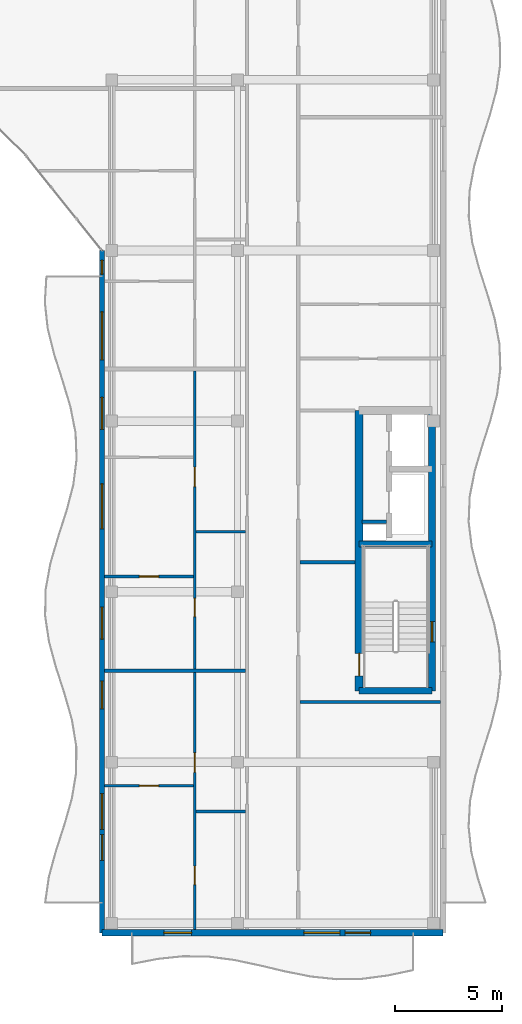
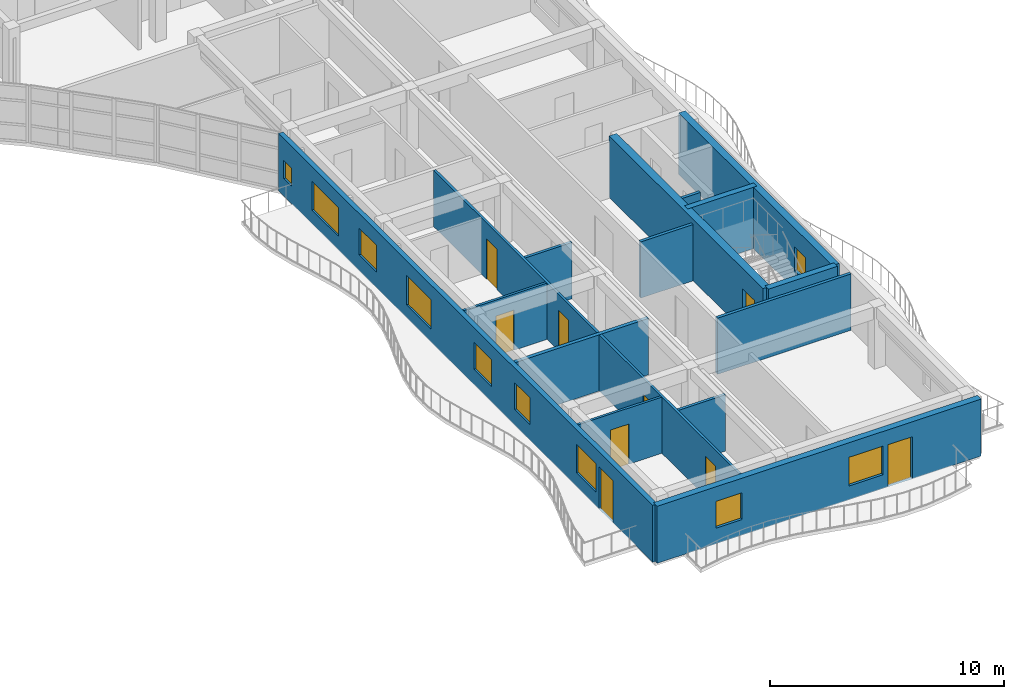
# One storey, part 34 of 54: 16 walls, 10 windows, 9 doors, 19 openings.
"""IFC4 building model written with IfcOpenShell, lengths in metres."""

from ifc_helpers import new_model, si_unit, direction, frame, frame_2d, origin, place, context, subcontext, project, spatial, rectangle, extrude, material, layer, layer_set, type_object, element, fill, save


model = new_model("IFC4")

# Units and contexts
model_context = context("Model", 3, precision=1e-05, world=origin(), true_north=direction((0.0, 1.0)))
body_context = subcontext(model_context, "Body", "Model", "MODEL_VIEW")
ifc_project = project(units=[si_unit("LENGTHUNIT", "METRE"), si_unit("AREAUNIT", "SQUARE_METRE"), si_unit("VOLUMEUNIT", "CUBIC_METRE"), si_unit("PLANEANGLEUNIT", "RADIAN"), si_unit("MASSUNIT", "GRAM", prefix="KILO")], contexts=[model_context])

# Site, building, storey
site_placement = place(None, origin())
site = spatial("IfcSite", under=ifc_project, at=site_placement, CompositionType="ELEMENT")
building_placement = place(site_placement, origin())
building = spatial("IfcBuilding", under=site, at=building_placement, Name="Keldmere Railside Commons", CompositionType="ELEMENT")
storey_placement = place(building_placement, frame((0.0, 0.0, 26.56005859375)))
storey = spatial("IfcBuildingStorey", under=building, at=storey_placement, Name="L08", CompositionType="ELEMENT", Elevation=26.56005859375)

# Wall
ifc_material_1 = material(Name="Acoustic Gypsum Board Partition", Category="gypsum")
ifc_layer_1 = layer(ifc_material_1, 0.179931640625, Name="Acoustic Demising Partition 180")
ifc_layer_set_1 = layer_set([ifc_layer_1], Name="Acoustic Gypsum Board Partition")
wall_type_1 = type_object("IfcWallType", Name="Acoustic Demising Partition 180", PredefinedType="PARTITIONING", material=ifc_layer_set_1)
wall_1_placement = place(storey_placement, frame((168.1201171875, 68.2900390625, 0.0), z_axis=(0.0, 0.0, 1.0), x_axis=(1.0, 0.0, 0.0)))
element("IfcWall", 1, at=wall_1_placement, inside=storey, type_object=wall_type_1, Name="IW-1 IW-L08-1730", PredefinedType="PARTITIONING", context=body_context, shape_type="SweptSolid", body=[
    extrude(rectangle(XDim=6.599853515625, YDim=0.179931640625, at=frame_2d((3.2998046875, 0.0))), origin(), (0.0, 0.0, 1.0), 2.93505859375),
])

# Wall, openings, doors
ifc_layer_2 = layer(ifc_material_1, 0.1201171875, Name="Apartment Interior Partition 120")
ifc_layer_set_2 = layer_set([ifc_layer_2], Name="Acoustic Gypsum Board Partition")
wall_type_2 = type_object("IfcWallType", Name="Apartment Interior Partition 120", PredefinedType="PARTITIONING", material=ifc_layer_set_2)
wall_2_placement = place(storey_placement, frame((172.340087890625, 56.159912109375, 0.0), z_axis=(0.0, 0.0, 1.0), x_axis=(0.0, 1.0, 0.0)))
wall_2 = element("IfcWall", 2, at=wall_2_placement, inside=storey, type_object=wall_type_2, Name="IW-4 IW-L08-1733", PredefinedType="PARTITIONING", context=body_context, shape_type="SweptSolid", body=[
    extrude(rectangle(XDim=12.0400390625, YDim=0.1201171875, at=frame_2d((6.02001953125, 0.0))), origin(), (0.0, 0.0, 1.0), 2.93505859375),
])
opening_1_placement = place(wall_2_placement, frame((2.105224609375, 0.0, 0.0)))
opening_1 = element("IfcOpeningElement", 3, at=opening_1_placement, cuts=wall_2, Name="Opening ID-04", PredefinedType="OPENING", context=body_context, shape_type="SweptSolid", body=[
    extrude(rectangle(XDim=0.860107421875, YDim=2.10009765625, at=frame_2d((0.43017578125, 1.050048828125))), frame((0.0, 0.070068359375, 0.0), z_axis=(0.0, -1.0, 0.0), x_axis=(1.0, 0.0, 0.0)), (0.0, 0.0, 1.0), 0.14013671875),
])
opening_2_placement = place(wall_2_placement, frame((7.360107421875, 0.0, 0.0)))
opening_2 = element("IfcOpeningElement", 4, at=opening_2_placement, cuts=wall_2, Name="Opening ID-03", PredefinedType="OPENING", context=body_context, shape_type="SweptSolid", body=[
    extrude(rectangle(XDim=0.919921875, YDim=2.10009765625, at=frame_2d((0.4599609375, 1.050048828125))), frame((0.0, 0.070068359375, 0.0), z_axis=(0.0, -1.0, 0.0), x_axis=(1.0, 0.0, 0.0)), (0.0, 0.0, 1.0), 0.14013671875),
])
ifc_material_2 = material(Name="Engineered Oak Timber", Category="wood")
door_type_1 = type_object("IfcDoorType", Name="Apartment Bathroom Door 860x2100", OperationType="NOTDEFINED", PredefinedType="DOOR", material=ifc_material_2)
door_1_placement = place(opening_1_placement, origin())
door_1 = element("IfcDoor", 5, at=door_1_placement, inside=storey, type_object=door_type_1, Name="ID-04 IDR-L08-1572", OperationType="SINGLE_SWING_RIGHT", OverallHeight=2.10009765625, OverallWidth=0.860107421875, PredefinedType="DOOR", context=body_context, shape_type="SweptSolid", body=[
    extrude(rectangle(XDim=0.860107421875, YDim=2.10009765625, at=frame_2d((0.43017578125, 1.050048828125))), frame((0.0, 0.02490234375, 0.0), z_axis=(0.0, -1.0, 0.0), x_axis=(1.0, 0.0, 0.0)), (0.0, 0.0, 1.0), 0.050048828125),
])
fill(opening_1, door_1)
door_type_2 = type_object("IfcDoorType", Name="Kitchen Pocket-Frame Swing Door 920x2100", OperationType="NOTDEFINED", PredefinedType="DOOR", material=ifc_material_2)
door_2_placement = place(opening_2_placement, origin())
door_2 = element("IfcDoor", 6, at=door_2_placement, inside=storey, type_object=door_type_2, Name="ID-03 IDR-L08-1573", OperationType="SINGLE_SWING_LEFT", OverallHeight=2.10009765625, OverallWidth=0.919921875, PredefinedType="DOOR", context=body_context, shape_type="SweptSolid", body=[
    extrude(rectangle(XDim=0.919921875, YDim=2.10009765625, at=frame_2d((0.4599609375, 1.050048828125))), frame((0.0, 0.02490234375, 0.0), z_axis=(0.0, -1.0, 0.0), x_axis=(1.0, 0.0, 0.0)), (0.0, 0.0, 1.0), 0.050048828125),
])
fill(opening_2, door_2)

# Wall, opening, door
wall_3_placement = place(storey_placement, frame((168.1201171875, 62.89990234375, 0.0), z_axis=(0.0, 0.0, 1.0), x_axis=(1.0, 0.0, 0.0)))
wall_3 = element("IfcWall", 7, at=wall_3_placement, inside=storey, type_object=wall_type_2, Name="IW-4 IW-L08-1735", PredefinedType="PARTITIONING", context=body_context, shape_type="SweptSolid", body=[
    extrude(rectangle(XDim=4.159912109375, YDim=0.1201171875, at=frame_2d((2.080078125, 0.0))), origin(), (0.0, 0.0, 1.0), 2.93505859375),
])
opening_3_placement = place(wall_3_placement, frame((1.6298828125, 0.0, 0.0)))
opening_3 = element("IfcOpeningElement", 8, at=opening_3_placement, cuts=wall_3, Name="Opening ID-01", PredefinedType="OPENING", context=body_context, shape_type="SweptSolid", body=[
    extrude(rectangle(XDim=0.89990234375, YDim=2.10009765625, at=frame_2d((0.449951171875, 1.050048828125))), frame((0.0, 0.070068359375, 0.0), z_axis=(0.0, -1.0, 0.0), x_axis=(1.0, 0.0, 0.0)), (0.0, 0.0, 1.0), 0.14013671875),
])
door_type_3 = type_object("IfcDoorType", Name="Primary Bedroom Door 900x2100", OperationType="NOTDEFINED", PredefinedType="DOOR", material=ifc_material_2)
door_3_placement = place(opening_3_placement, origin())
door_3 = element("IfcDoor", 9, at=door_3_placement, inside=storey, type_object=door_type_3, Name="ID-01 IDR-L08-1575", OperationType="SINGLE_SWING_LEFT", OverallHeight=2.10009765625, OverallWidth=0.89990234375, PredefinedType="DOOR", context=body_context, shape_type="SweptSolid", body=[
    extrude(rectangle(XDim=0.89990234375, YDim=2.10009765625, at=frame_2d((0.449951171875, 1.050048828125))), frame((0.0, 0.02490234375, 0.0), z_axis=(0.0, -1.0, 0.0), x_axis=(1.0, 0.0, 0.0)), (0.0, 0.0, 1.0), 0.050048828125),
])
fill(opening_3, door_3)

# Wall, openings, doors
wall_4_placement = place(storey_placement, frame((172.340087890625, 68.3798828125, 0.0), z_axis=(0.0, 0.0, 1.0), x_axis=(0.0, 1.0, 0.0)))
wall_4 = element("IfcWall", 10, at=wall_4_placement, inside=storey, type_object=wall_type_2, Name="IW-4 IW-L08-1736", PredefinedType="PARTITIONING", context=body_context, shape_type="SweptSolid", body=[
    extrude(rectangle(XDim=13.980224609375, YDim=0.1201171875, at=frame_2d((6.990234375, 0.0))), origin(), (0.0, 0.0, 1.0), 2.93505859375),
])
opening_4_placement = place(wall_4_placement, frame((2.443359375, 0.0, 0.0)))
opening_4 = element("IfcOpeningElement", 11, at=opening_4_placement, cuts=wall_4, Name="Opening ID-04", PredefinedType="OPENING", context=body_context, shape_type="SweptSolid", body=[
    extrude(rectangle(XDim=0.860107421875, YDim=2.10009765625, at=frame_2d((0.43017578125, 1.050048828125))), frame((0.0, 0.070068359375, 0.0), z_axis=(0.0, -1.0, 0.0), x_axis=(1.0, 0.0, 0.0)), (0.0, 0.0, 1.0), 0.14013671875),
])
opening_5_placement = place(wall_4_placement, frame((8.5439453125, 0.0, 0.0)))
opening_5 = element("IfcOpeningElement", 12, at=opening_5_placement, cuts=wall_4, Name="Opening ID-03", PredefinedType="OPENING", context=body_context, shape_type="SweptSolid", body=[
    extrude(rectangle(XDim=0.919921875, YDim=2.10009765625, at=frame_2d((0.4599609375, 1.050048828125))), frame((0.0, 0.070068359375, 0.0), z_axis=(0.0, -1.0, 0.0), x_axis=(1.0, 0.0, 0.0)), (0.0, 0.0, 1.0), 0.14013671875),
])
door_4_placement = place(opening_4_placement, origin())
door_4 = element("IfcDoor", 13, at=door_4_placement, inside=storey, type_object=door_type_1, Name="ID-04 IDR-L08-1576", OperationType="SINGLE_SWING_RIGHT", OverallHeight=2.10009765625, OverallWidth=0.860107421875, PredefinedType="DOOR", context=body_context, shape_type="SweptSolid", body=[
    extrude(rectangle(XDim=0.860107421875, YDim=2.10009765625, at=frame_2d((0.43017578125, 1.050048828125))), frame((0.0, 0.02490234375, 0.0), z_axis=(0.0, -1.0, 0.0), x_axis=(1.0, 0.0, 0.0)), (0.0, 0.0, 1.0), 0.050048828125),
])
fill(opening_4, door_4)
door_5_placement = place(opening_5_placement, origin())
door_5 = element("IfcDoor", 14, at=door_5_placement, inside=storey, type_object=door_type_2, Name="ID-03 IDR-L08-1577", OperationType="SINGLE_SWING_LEFT", OverallHeight=2.10009765625, OverallWidth=0.919921875, PredefinedType="DOOR", context=body_context, shape_type="SweptSolid", body=[
    extrude(rectangle(XDim=0.919921875, YDim=2.10009765625, at=frame_2d((0.4599609375, 1.050048828125))), frame((0.0, 0.02490234375, 0.0), z_axis=(0.0, -1.0, 0.0), x_axis=(1.0, 0.0, 0.0)), (0.0, 0.0, 1.0), 0.050048828125),
])
fill(opening_5, door_5)

# Wall, opening, door
wall_5_placement = place(storey_placement, frame((168.1201171875, 72.7099609375, 0.0), z_axis=(0.0, 0.0, 1.0), x_axis=(1.0, 0.0, 0.0)))
wall_5 = element("IfcWall", 15, at=wall_5_placement, inside=storey, type_object=wall_type_2, Name="IW-4 IW-L08-1738", PredefinedType="PARTITIONING", context=body_context, shape_type="SweptSolid", body=[
    extrude(rectangle(XDim=4.159912109375, YDim=0.1201171875, at=frame_2d((2.080078125, 0.0))), origin(), (0.0, 0.0, 1.0), 2.93505859375),
])
opening_6_placement = place(wall_5_placement, frame((1.6298828125, 0.0, 0.0)))
opening_6 = element("IfcOpeningElement", 16, at=opening_6_placement, cuts=wall_5, Name="Opening ID-01", PredefinedType="OPENING", context=body_context, shape_type="SweptSolid", body=[
    extrude(rectangle(XDim=0.89990234375, YDim=2.10009765625, at=frame_2d((0.449951171875, 1.050048828125))), frame((0.0, 0.070068359375, 0.0), z_axis=(0.0, -1.0, 0.0), x_axis=(1.0, 0.0, 0.0)), (0.0, 0.0, 1.0), 0.14013671875),
])
door_6_placement = place(opening_6_placement, origin())
door_6 = element("IfcDoor", 17, at=door_6_placement, inside=storey, type_object=door_type_3, Name="ID-01 IDR-L08-1579", OperationType="SINGLE_SWING_LEFT", OverallHeight=2.10009765625, OverallWidth=0.89990234375, PredefinedType="DOOR", context=body_context, shape_type="SweptSolid", body=[
    extrude(rectangle(XDim=0.89990234375, YDim=2.10009765625, at=frame_2d((0.449951171875, 1.050048828125))), frame((0.0, 0.02490234375, 0.0), z_axis=(0.0, -1.0, 0.0), x_axis=(1.0, 0.0, 0.0)), (0.0, 0.0, 1.0), 0.050048828125),
])
fill(opening_6, door_6)

# Wall
ifc_material_3 = material(Name="Concrete H-35 (C35/45)", Category="concrete")
ifc_layer_3 = layer(ifc_material_3, 0.280029296875, Name="Core Shear Wall 280")
ifc_layer_set_3 = layer_set([ifc_layer_3], Name="Concrete H-35 (C35/45)")
wall_type_3 = type_object("IfcWallType", Name="Core Shear Wall 280", PredefinedType="SHEAR", material=ifc_layer_set_3)
wall_6_placement = place(storey_placement, frame((180.06005859375, 74.239990234375, 0.0), z_axis=(0.0, 0.0, 1.0), x_axis=(1.0, 0.0, 0.0)))
element("IfcWall", 18, at=wall_6_placement, inside=storey, type_object=wall_type_3, Name="CSW-2 COREAM-L08-0808", PredefinedType="SHEAR", context=body_context, shape_type="SweptSolid", body=[
    extrude(rectangle(XDim=3.409912109375, YDim=0.280029296875, at=frame_2d((1.705078125, 0.0))), origin(), (0.0, 0.0, 1.0), 3.199951171875),
])

# Wall, opening, door
ifc_material_4 = material(Name="Concrete H-40 (C40/50)", Category="concrete")
ifc_layer_4 = layer(ifc_material_4, 0.3798828125, Name="Core Shear Wall 380")
ifc_layer_set_4 = layer_set([ifc_layer_4], Name="Concrete H-40 (C40/50)")
wall_type_4 = type_object("IfcWallType", Name="Core Shear Wall 380", PredefinedType="SHEAR", material=ifc_layer_set_4)
wall_7_placement = place(storey_placement, frame((180.06005859375, 67.35009765625, 0.0), z_axis=(0.0, 0.0, 1.0), x_axis=(0.0, 1.0, 0.0)))
wall_7 = element("IfcWall", 19, at=wall_7_placement, inside=storey, type_object=wall_type_4, Name="CW-CORE COREAW-L08-0804", PredefinedType="SHEAR", context=body_context, shape_type="SweptSolid", body=[
    extrude(rectangle(XDim=13.14990234375, YDim=0.3798828125, at=frame_2d((6.574951171875, 0.0))), origin(), (0.0, 0.0, 1.0), 3.199951171875),
])
opening_7_placement = place(wall_7_placement, frame((0.699951171875, 0.0, 0.0)))
opening_7 = element("IfcOpeningElement", 20, at=opening_7_placement, cuts=wall_7, Name="Opening FD-1", PredefinedType="OPENING", context=body_context, shape_type="SweptSolid", body=[
    extrude(rectangle(XDim=1.050048828125, YDim=2.14990234375, at=frame_2d((0.52490234375, 1.074951171875))), frame((0.0, 0.199951171875, 0.0), z_axis=(0.0, -1.0, 0.0), x_axis=(1.0, 0.0, 0.0)), (0.0, 0.0, 1.0), 0.39990234375),
])
ifc_material_5 = material(Name="Steel F-24 (S235)", Category="steel")
door_type_4 = type_object("IfcDoorType", Name="Stair Core Fire Door 1050x2150", OperationType="NOTDEFINED", PredefinedType="DOOR", material=ifc_material_5)
door_7_placement = place(opening_7_placement, origin())
door_7 = element("IfcDoor", 21, at=door_7_placement, inside=storey, type_object=door_type_4, Name="FD-1 A1 L08", OperationType="SINGLE_SWING_LEFT", OverallHeight=2.14990234375, OverallWidth=1.050048828125, PredefinedType="DOOR", context=body_context, shape_type="SweptSolid", body=[
    extrude(rectangle(XDim=1.050048828125, YDim=2.14990234375, at=frame_2d((0.52490234375, 1.074951171875))), frame((0.0, 0.02490234375, 0.0), z_axis=(0.0, -1.0, 0.0), x_axis=(1.0, 0.0, 0.0)), (0.0, 0.0, 1.0), 0.050048828125),
])
fill(opening_7, door_7)

# Wall, openings, door, windows
ifc_layer_5 = layer(ifc_material_3, 0.320068359375, Name="Exterior Shear Wall 320")
ifc_layer_set_5 = layer_set([ifc_layer_5], Name="Concrete H-35 (C35/45)")
wall_type_5 = type_object("IfcWallType", Name="Exterior Shear Wall 320", PredefinedType="SHEAR", material=ifc_layer_set_5)
wall_8_placement = place(storey_placement, frame((184.0, 56.0, 0.0), z_axis=(0.0, 0.0, 1.0), x_axis=(-1.0, 0.0, 0.0)))
wall_8 = element("IfcWall", 22, at=wall_8_placement, inside=storey, type_object=wall_type_5, Name="ESW-2 EXTA-L08-0931", PredefinedType="SHEAR", context=body_context, shape_type="SweptSolid", body=[
    extrude(rectangle(XDim=16.0, YDim=0.320068359375, at=frame_2d((8.0, 0.0))), origin(), (0.0, 0.0, 1.0), 2.97998046875),
])
opening_8_placement = place(wall_8_placement, frame((3.39990234375, 0.0, 0.0)))
opening_8 = element("IfcOpeningElement", 23, at=opening_8_placement, cuts=wall_8, Name="Opening BD-01", PredefinedType="OPENING", context=body_context, shape_type="SweptSolid", body=[
    extrude(rectangle(XDim=1.199951171875, YDim=2.199951171875, at=frame_2d((0.60009765625, 1.10009765625))), frame((0.0, 0.169921875, 0.0), z_axis=(0.0, -1.0, 0.0), x_axis=(1.0, 0.0, 0.0)), (0.0, 0.0, 1.0), 0.340087890625),
])
opening_9_placement = place(wall_8_placement, frame((4.85009765625, 0.0, 0.719970703125)))
opening_9 = element("IfcOpeningElement", 24, at=opening_9_placement, cuts=wall_8, Name="Opening WN-40", PredefinedType="OPENING", context=body_context, shape_type="SweptSolid", body=[
    extrude(rectangle(XDim=1.679931640625, YDim=1.5, at=frame_2d((0.83984375, 0.75))), frame((0.0, 0.169921875, 0.0), z_axis=(0.0, -1.0, 0.0), x_axis=(1.0, 0.0, 0.0)), (0.0, 0.0, 1.0), 0.340087890625),
])
opening_10_placement = place(wall_8_placement, frame((11.800048828125, 0.0, 0.820068359375)))
opening_10 = element("IfcOpeningElement", 25, at=opening_10_placement, cuts=wall_8, Name="Opening WN-10", PredefinedType="OPENING", context=body_context, shape_type="SweptSolid", body=[
    extrude(rectangle(XDim=1.300048828125, YDim=1.39990234375, at=frame_2d((0.64990234375, 0.699951171875))), frame((0.0, 0.169921875, 0.0), z_axis=(0.0, -1.0, 0.0), x_axis=(1.0, 0.0, 0.0)), (0.0, 0.0, 1.0), 0.340087890625),
])
ifc_material_6 = material(Name="Thermally Broken Aluminium", Category="aluminium")
door_type_5 = type_object("IfcDoorType", Name="Apartment Living Wave-Balcony Glazed Door 1200x2200", OperationType="NOTDEFINED", PredefinedType="DOOR", material=ifc_material_6)
door_8_placement = place(opening_8_placement, origin())
door_8 = element("IfcDoor", 26, at=door_8_placement, inside=storey, type_object=door_type_5, Name="BD-01 DR-L08-0262", OperationType="SINGLE_SWING_RIGHT", OverallHeight=2.199951171875, OverallWidth=1.199951171875, PredefinedType="DOOR", context=body_context, shape_type="SweptSolid", body=[
    extrude(rectangle(XDim=1.199951171875, YDim=2.199951171875, at=frame_2d((0.60009765625, 1.10009765625))), frame((0.0, 0.02490234375, 0.0), z_axis=(0.0, -1.0, 0.0), x_axis=(1.0, 0.0, 0.0)), (0.0, 0.0, 1.0), 0.050048828125),
])
fill(opening_8, door_8)
ifc_material_7 = material(Name="Low-E Insulated Double Glazing", Category="glass")
window_type_1 = type_object("IfcWindowType", Name="Secondary Bedroom Court Window 1300x1400", PartitioningType="SINGLE_PANEL", PredefinedType="WINDOW", material=ifc_material_7)
window_1_placement = place(opening_10_placement, origin())
window_1 = element("IfcWindow", 27, at=window_1_placement, inside=storey, type_object=window_type_1, Name="WN-10 WIN-L08-0721", OverallHeight=1.39990234375, OverallWidth=1.300048828125, PartitioningType="SINGLE_PANEL", PredefinedType="WINDOW", context=body_context, shape_type="SweptSolid", body=[
    extrude(rectangle(XDim=1.300048828125, YDim=1.39990234375, at=frame_2d((0.64990234375, 0.699951171875))), frame((0.0, 0.030029296875, 0.0), z_axis=(0.0, -1.0, 0.0), x_axis=(1.0, 0.0, 0.0)), (0.0, 0.0, 1.0), 0.06005859375),
])
fill(opening_10, window_1)
window_type_2 = type_object("IfcWindowType", Name="Two-Bed Dining Casement Window 1680x1500", PartitioningType="SINGLE_PANEL", PredefinedType="WINDOW", material=ifc_material_7)
window_2_placement = place(opening_9_placement, origin())
window_2 = element("IfcWindow", 28, at=window_2_placement, inside=storey, type_object=window_type_2, Name="WN-40 WIN-L08-0720", OverallHeight=1.5, OverallWidth=1.679931640625, PartitioningType="SINGLE_PANEL", PredefinedType="WINDOW", context=body_context, shape_type="SweptSolid", body=[
    extrude(rectangle(XDim=1.679931640625, YDim=1.5, at=frame_2d((0.83984375, 0.75))), frame((0.0, 0.030029296875, 0.0), z_axis=(0.0, -1.0, 0.0), x_axis=(1.0, 0.0, 0.0)), (0.0, 0.0, 1.0), 0.06005859375),
])
fill(opening_9, window_2)

# Wall
ifc_layer_6 = layer(ifc_material_3, 0.300048828125, Name="Interior Shear Wall 300")
ifc_layer_set_6 = layer_set([ifc_layer_6], Name="Concrete H-35 (C35/45)")
wall_type_6 = type_object("IfcWallType", Name="Interior Shear Wall 300", PredefinedType="SHEAR", material=ifc_layer_set_6)
wall_9_placement = place(storey_placement, frame((183.469970703125, 67.35009765625, 0.0), z_axis=(0.0, 0.0, 1.0), x_axis=(-1.0, 0.0, 0.0)))
element("IfcWall", 29, at=wall_9_placement, inside=storey, type_object=wall_type_6, Name="ISW-2 COREAS-L08-0807", PredefinedType="SHEAR", context=body_context, shape_type="SweptSolid", body=[
    extrude(rectangle(XDim=3.409912109375, YDim=0.300048828125, at=frame_2d((1.705078125, 0.0))), origin(), (0.0, 0.0, 1.0), 3.199951171875),
])

# Wall, opening, window
ifc_layer_7 = layer(ifc_material_3, 0.340087890625, Name="Interior Shear Wall 340")
ifc_layer_set_7 = layer_set([ifc_layer_7], Name="Concrete H-35 (C35/45)")
wall_type_7 = type_object("IfcWallType", Name="Interior Shear Wall 340", PredefinedType="SHEAR", material=ifc_layer_set_7)
wall_10_placement = place(storey_placement, frame((183.469970703125, 80.5, 0.0), z_axis=(0.0, 0.0, 1.0), x_axis=(0.0, -1.0, 0.0)))
wall_10 = element("IfcWall", 30, at=wall_10_placement, inside=storey, type_object=wall_type_7, Name="ISW-1 COREAE-L08-0806", PredefinedType="SHEAR", context=body_context, shape_type="SweptSolid", body=[
    extrude(rectangle(XDim=13.14990234375, YDim=0.340087890625, at=frame_2d((6.574951171875, 0.0))), origin(), (0.0, 0.0, 1.0), 3.199951171875),
])
opening_11_placement = place(wall_10_placement, frame((9.89990234375, 0.0, 0.969970703125)))
opening_11 = element("IfcOpeningElement", 31, at=opening_11_placement, cuts=wall_10, Name="Opening WN-17", PredefinedType="OPENING", context=body_context, shape_type="SweptSolid", body=[
    extrude(rectangle(XDim=0.949951171875, YDim=1.25, at=frame_2d((0.47509765625, 0.625))), frame((0.0, 0.179931640625, 0.0), z_axis=(0.0, -1.0, 0.0), x_axis=(1.0, 0.0, 0.0)), (0.0, 0.0, 1.0), 0.360107421875),
])
window_type_3 = type_object("IfcWindowType", Name="Stair Core Natural Smoke-Vent Window 950x1250", PartitioningType="SINGLE_PANEL", PredefinedType="WINDOW", material=ifc_material_7)
window_3_placement = place(opening_11_placement, origin())
window_3 = element("IfcWindow", 32, at=window_3_placement, inside=storey, type_object=window_type_3, Name="WN-17 WIN-L08-0564", OverallHeight=1.25, OverallWidth=0.949951171875, PartitioningType="SINGLE_PANEL", PredefinedType="WINDOW", context=body_context, shape_type="SweptSolid", body=[
    extrude(rectangle(XDim=0.949951171875, YDim=1.25, at=frame_2d((0.47509765625, 0.625))), frame((0.0, 0.030029296875, 0.0), z_axis=(0.0, -1.0, 0.0), x_axis=(1.0, 0.0, 0.0)), (0.0, 0.0, 1.0), 0.06005859375),
])
fill(opening_11, window_3)

# Walls
ifc_layer_8 = layer(ifc_material_1, 0.14990234375, Name="Lobby Rated Partition 150")
ifc_layer_set_8 = layer_set([ifc_layer_8], Name="Acoustic Gypsum Board Partition")
wall_type_8 = type_object("IfcWallType", Name="Lobby Rated Partition 150", PredefinedType="PARTITIONING", material=ifc_layer_set_8)
wall_11_placement = place(storey_placement, frame((180.199951171875, 75.280029296875, 0.0), z_axis=(0.0, 0.0, 1.0), x_axis=(1.0, 0.0, 0.0)))
element("IfcWall", 33, at=wall_11_placement, inside=storey, type_object=wall_type_8, Name="IW-3 RSRNA-L08-0811", PredefinedType="PARTITIONING", context=body_context, shape_type="SweptSolid", body=[
    extrude(rectangle(XDim=1.130126953125, YDim=0.14990234375, at=frame_2d((0.56494140625, 0.0))), origin(), (0.0, 0.0, 1.0), 2.949951171875),
])
wall_12_placement = place(storey_placement, frame((177.280029296875, 66.820068359375, 0.0), z_axis=(0.0, 0.0, 1.0), x_axis=(1.0, 0.0, 0.0)))
element("IfcWall", 34, at=wall_12_placement, inside=storey, type_object=wall_type_8, Name="IW-3 IW-L08-1719", PredefinedType="PARTITIONING", context=body_context, shape_type="SweptSolid", body=[
    extrude(rectangle(XDim=6.599853515625, YDim=0.14990234375, at=frame_2d((3.2998046875, 0.0))), origin(), (0.0, 0.0, 1.0), 2.93505859375),
])
wall_13_placement = place(storey_placement, frame((177.280029296875, 73.3798828125, 0.0), z_axis=(0.0, 0.0, 1.0), x_axis=(1.0, 0.0, 0.0)))
element("IfcWall", 35, at=wall_13_placement, inside=storey, type_object=wall_type_8, Name="IW-3 IW-L08-1720", PredefinedType="PARTITIONING", context=body_context, shape_type="SweptSolid", body=[
    extrude(rectangle(XDim=2.590087890625, YDim=0.14990234375, at=frame_2d((1.294921875, 0.0))), origin(), (0.0, 0.0, 1.0), 2.93505859375),
])

# Wall, openings, door, windows
ifc_material_8 = material(Name="Architectural Precast Concrete H-35 (C35/45)", Category="concrete")
ifc_layer_9 = layer(ifc_material_8, 0.239990234375, Name="Sand-Ochre Precast Cavity Wall 240")
ifc_layer_set_9 = layer_set([ifc_layer_9], Name="Architectural Precast Concrete H-35 (C35/45)")
wall_type_9 = type_object("IfcWallType", Name="Sand-Ochre Precast Cavity Wall 240", PredefinedType="SOLIDWALL", material=ifc_layer_set_9)
wall_14_placement = place(storey_placement, frame((168.0, 56.0, 0.0), z_axis=(0.0, 0.0, 1.0), x_axis=(0.0, 1.0, 0.0)))
wall_14 = element("IfcWall", 36, at=wall_14_placement, inside=storey, type_object=wall_type_9, Name="EW-2 EXTA-L08-0936", PredefinedType="SOLIDWALL", context=body_context, shape_type="SweptSolid", body=[
    extrude(rectangle(XDim=32.0, YDim=0.239990234375, at=frame_2d((16.0, 0.0))), origin(), (0.0, 0.0, 1.0), 2.97998046875),
])
opening_12_placement = place(wall_14_placement, frame((3.39990234375, 0.0, 0.0)))
opening_12 = element("IfcOpeningElement", 37, at=opening_12_placement, cuts=wall_14, Name="Opening BD-01", PredefinedType="OPENING", context=body_context, shape_type="SweptSolid", body=[
    extrude(rectangle(XDim=1.199951171875, YDim=2.199951171875, at=frame_2d((0.60009765625, 1.10009765625))), frame((0.0, 0.1298828125, 0.0), z_axis=(0.0, -1.0, 0.0), x_axis=(1.0, 0.0, 0.0)), (0.0, 0.0, 1.0), 0.260009765625),
])
opening_13_placement = place(wall_14_placement, frame((4.85009765625, 0.0, 0.719970703125)))
opening_13 = element("IfcOpeningElement", 38, at=opening_13_placement, cuts=wall_14, Name="Opening WN-40", PredefinedType="OPENING", context=body_context, shape_type="SweptSolid", body=[
    extrude(rectangle(XDim=1.679931640625, YDim=1.5, at=frame_2d((0.83984375, 0.75))), frame((0.0, 0.1298828125, 0.0), z_axis=(0.0, -1.0, 0.0), x_axis=(1.0, 0.0, 0.0)), (0.0, 0.0, 1.0), 0.260009765625),
])
opening_14_placement = place(wall_14_placement, frame((10.5, 0.0, 0.820068359375)))
opening_14 = element("IfcOpeningElement", 39, at=opening_14_placement, cuts=wall_14, Name="Opening WN-10", PredefinedType="OPENING", context=body_context, shape_type="SweptSolid", body=[
    extrude(rectangle(XDim=1.300048828125, YDim=1.39990234375, at=frame_2d((0.64990234375, 0.699951171875))), frame((0.0, 0.1298828125, 0.0), z_axis=(0.0, -1.0, 0.0), x_axis=(1.0, 0.0, 0.0)), (0.0, 0.0, 1.0), 0.260009765625),
])
opening_15_placement = place(wall_14_placement, frame((18.949951171875, 0.0, 0.669921875)))
opening_15 = element("IfcOpeningElement", 40, at=opening_15_placement, cuts=wall_14, Name="Opening WN-11", PredefinedType="OPENING", context=body_context, shape_type="SweptSolid", body=[
    extrude(rectangle(XDim=2.10009765625, YDim=1.550048828125, at=frame_2d((1.050048828125, 0.77490234375))), frame((0.0, 0.1298828125, 0.0), z_axis=(0.0, -1.0, 0.0), x_axis=(1.0, 0.0, 0.0)), (0.0, 0.0, 1.0), 0.260009765625),
])
opening_16_placement = place(wall_14_placement, frame((26.875, 0.0, 0.719970703125)))
opening_16 = element("IfcOpeningElement", 41, at=opening_16_placement, cuts=wall_14, Name="Opening WN-12", PredefinedType="OPENING", context=body_context, shape_type="SweptSolid", body=[
    extrude(rectangle(XDim=2.25, YDim=1.5, at=frame_2d((1.125, 0.75))), frame((0.0, 0.1298828125, 0.0), z_axis=(0.0, -1.0, 0.0), x_axis=(1.0, 0.0, 0.0)), (0.0, 0.0, 1.0), 0.260009765625),
])
opening_17_placement = place(wall_14_placement, frame((13.77001953125, 0.0, 0.820068359375)))
opening_17 = element("IfcOpeningElement", 42, at=opening_17_placement, cuts=wall_14, Name="Opening WN-06", PredefinedType="OPENING", context=body_context, shape_type="SweptSolid", body=[
    extrude(rectangle(XDim=1.5, YDim=1.39990234375, at=frame_2d((0.75, 0.699951171875))), frame((0.0, 0.1298828125, 0.0), z_axis=(0.0, -1.0, 0.0), x_axis=(1.0, 0.0, 0.0)), (0.0, 0.0, 1.0), 0.260009765625),
])
opening_18_placement = place(wall_14_placement, frame((23.610107421875, 0.0, 0.820068359375)))
opening_18 = element("IfcOpeningElement", 43, at=opening_18_placement, cuts=wall_14, Name="Opening WN-06", PredefinedType="OPENING", context=body_context, shape_type="SweptSolid", body=[
    extrude(rectangle(XDim=1.5, YDim=1.39990234375, at=frame_2d((0.75, 0.699951171875))), frame((0.0, 0.1298828125, 0.0), z_axis=(0.0, -1.0, 0.0), x_axis=(1.0, 0.0, 0.0)), (0.0, 0.0, 1.0), 0.260009765625),
])
opening_19_placement = place(wall_14_placement, frame((30.889892578125, 0.0, 0.89990234375)))
opening_19 = element("IfcOpeningElement", 44, at=opening_19_placement, cuts=wall_14, Name="Opening WN-15", PredefinedType="OPENING", context=body_context, shape_type="SweptSolid", body=[
    extrude(rectangle(XDim=0.64990234375, YDim=0.949951171875, at=frame_2d((0.324951171875, 0.47509765625))), frame((0.0, 0.1298828125, 0.0), z_axis=(0.0, -1.0, 0.0), x_axis=(1.0, 0.0, 0.0)), (0.0, 0.0, 1.0), 0.260009765625),
])
door_9_placement = place(opening_12_placement, origin())
door_9 = element("IfcDoor", 45, at=door_9_placement, inside=storey, type_object=door_type_5, Name="BD-01 DR-L08-0267", OperationType="SINGLE_SWING_LEFT", OverallHeight=2.199951171875, OverallWidth=1.199951171875, PredefinedType="DOOR", context=body_context, shape_type="SweptSolid", body=[
    extrude(rectangle(XDim=1.199951171875, YDim=2.199951171875, at=frame_2d((0.60009765625, 1.10009765625))), frame((0.0, 0.02490234375, 0.0), z_axis=(0.0, -1.0, 0.0), x_axis=(1.0, 0.0, 0.0)), (0.0, 0.0, 1.0), 0.050048828125),
])
fill(opening_12, door_9)
window_type_4 = type_object("IfcWindowType", Name="Exterior Bathroom Frosted Window 650x950", PartitioningType="SINGLE_PANEL", PredefinedType="WINDOW", material=ifc_material_7)
window_4_placement = place(opening_19_placement, origin())
window_4 = element("IfcWindow", 46, at=window_4_placement, inside=storey, type_object=window_type_4, Name="WN-15 WIN-L08-9071", OverallHeight=0.949951171875, OverallWidth=0.64990234375, PartitioningType="SINGLE_PANEL", PredefinedType="WINDOW", context=body_context, shape_type="SweptSolid", body=[
    extrude(rectangle(XDim=0.64990234375, YDim=0.949951171875, at=frame_2d((0.324951171875, 0.47509765625))), frame((0.0, 0.030029296875, 0.0), z_axis=(0.0, -1.0, 0.0), x_axis=(1.0, 0.0, 0.0)), (0.0, 0.0, 1.0), 0.06005859375),
])
fill(opening_19, window_4)
window_type_5 = type_object("IfcWindowType", Name="Primary Bedroom North Window 1500x1400", PartitioningType="SINGLE_PANEL", PredefinedType="WINDOW", material=ifc_material_7)
window_5_placement = place(opening_17_placement, origin())
window_5 = element("IfcWindow", 47, at=window_5_placement, inside=storey, type_object=window_type_5, Name="WN-06 WIN-L08-9069", OverallHeight=1.39990234375, OverallWidth=1.5, PartitioningType="SINGLE_PANEL", PredefinedType="WINDOW", context=body_context, shape_type="SweptSolid", body=[
    extrude(rectangle(XDim=1.5, YDim=1.39990234375, at=frame_2d((0.75, 0.699951171875))), frame((0.0, 0.030029296875, 0.0), z_axis=(0.0, -1.0, 0.0), x_axis=(1.0, 0.0, 0.0)), (0.0, 0.0, 1.0), 0.06005859375),
])
fill(opening_17, window_5)
window_6_placement = place(opening_18_placement, origin())
window_6 = element("IfcWindow", 48, at=window_6_placement, inside=storey, type_object=window_type_5, Name="WN-06 WIN-L08-9070", OverallHeight=1.39990234375, OverallWidth=1.5, PartitioningType="SINGLE_PANEL", PredefinedType="WINDOW", context=body_context, shape_type="SweptSolid", body=[
    extrude(rectangle(XDim=1.5, YDim=1.39990234375, at=frame_2d((0.75, 0.699951171875))), frame((0.0, 0.030029296875, 0.0), z_axis=(0.0, -1.0, 0.0), x_axis=(1.0, 0.0, 0.0)), (0.0, 0.0, 1.0), 0.06005859375),
])
fill(opening_18, window_6)
window_7_placement = place(opening_14_placement, origin())
window_7 = element("IfcWindow", 49, at=window_7_placement, inside=storey, type_object=window_type_1, Name="WN-10 WIN-L08-0736", OverallHeight=1.39990234375, OverallWidth=1.300048828125, PartitioningType="SINGLE_PANEL", PredefinedType="WINDOW", context=body_context, shape_type="SweptSolid", body=[
    extrude(rectangle(XDim=1.300048828125, YDim=1.39990234375, at=frame_2d((0.64990234375, 0.699951171875))), frame((0.0, 0.030029296875, 0.0), z_axis=(0.0, -1.0, 0.0), x_axis=(1.0, 0.0, 0.0)), (0.0, 0.0, 1.0), 0.06005859375),
])
fill(opening_14, window_7)
window_type_6 = type_object("IfcWindowType", Name="Studio Court Ribbon Window 2250x1500", PartitioningType="SINGLE_PANEL", PredefinedType="WINDOW", material=ifc_material_7)
window_8_placement = place(opening_16_placement, origin())
window_8 = element("IfcWindow", 50, at=window_8_placement, inside=storey, type_object=window_type_6, Name="WN-12 WIN-L08-0738", OverallHeight=1.5, OverallWidth=2.25, PartitioningType="SINGLE_PANEL", PredefinedType="WINDOW", context=body_context, shape_type="SweptSolid", body=[
    extrude(rectangle(XDim=2.25, YDim=1.5, at=frame_2d((1.125, 0.75))), frame((0.0, 0.030029296875, 0.0), z_axis=(0.0, -1.0, 0.0), x_axis=(1.0, 0.0, 0.0)), (0.0, 0.0, 1.0), 0.06005859375),
])
fill(opening_16, window_8)
window_type_7 = type_object("IfcWindowType", Name="Studio Wide Casement Window 2100x1550", PartitioningType="SINGLE_PANEL", PredefinedType="WINDOW", material=ifc_material_7)
window_9_placement = place(opening_15_placement, origin())
window_9 = element("IfcWindow", 51, at=window_9_placement, inside=storey, type_object=window_type_7, Name="WN-11 WIN-L08-0737", OverallHeight=1.550048828125, OverallWidth=2.10009765625, PartitioningType="SINGLE_PANEL", PredefinedType="WINDOW", context=body_context, shape_type="SweptSolid", body=[
    extrude(rectangle(XDim=2.10009765625, YDim=1.550048828125, at=frame_2d((1.050048828125, 0.77490234375))), frame((0.0, 0.030029296875, 0.0), z_axis=(0.0, -1.0, 0.0), x_axis=(1.0, 0.0, 0.0)), (0.0, 0.0, 1.0), 0.06005859375),
])
fill(opening_15, window_9)
window_10_placement = place(opening_13_placement, origin())
window_10 = element("IfcWindow", 52, at=window_10_placement, inside=storey, type_object=window_type_2, Name="WN-40 WIN-L08-0735", OverallHeight=1.5, OverallWidth=1.679931640625, PartitioningType="SINGLE_PANEL", PredefinedType="WINDOW", context=body_context, shape_type="SweptSolid", body=[
    extrude(rectangle(XDim=1.679931640625, YDim=1.5, at=frame_2d((0.83984375, 0.75))), frame((0.0, 0.030029296875, 0.0), z_axis=(0.0, -1.0, 0.0), x_axis=(1.0, 0.0, 0.0)), (0.0, 0.0, 1.0), 0.06005859375),
])
fill(opening_13, window_10)

# Walls
ifc_layer_10 = layer(ifc_material_1, 0.139892578125, Name="Wet-Room Sanitary Partition 140")
ifc_layer_set_10 = layer_set([ifc_layer_10], Name="Acoustic Gypsum Board Partition")
wall_type_10 = type_object("IfcWallType", Name="Wet-Room Sanitary Partition 140", PredefinedType="PARTITIONING", material=ifc_layer_set_10)
for number, where, z_axis, x_axis, name in (
    (53, (172.39990234375, 61.699951171875, 0.0), (0.0, 0.0, 1.0), (1.0, 0.0, 0.0), "IW-5 IW-L08-1734"),
    (54, (172.39990234375, 74.81005859375, 0.0), (0.0, 0.0, 1.0), (1.0, 0.0, 0.0), "IW-5 IW-L08-1737"),
):
    element("IfcWall", number, at=place(storey_placement, frame(where, z_axis=z_axis, x_axis=x_axis)), inside=storey, type_object=wall_type_10, Name=name, PredefinedType="PARTITIONING", context=body_context, shape_type="SweptSolid", body=[
        extrude(rectangle(XDim=2.320068359375, YDim=0.139892578125, at=frame_2d((1.16015625, 0.0))), origin(), (0.0, 0.0, 1.0), 2.93505859375),
    ])

save(model, "model.ifc")
